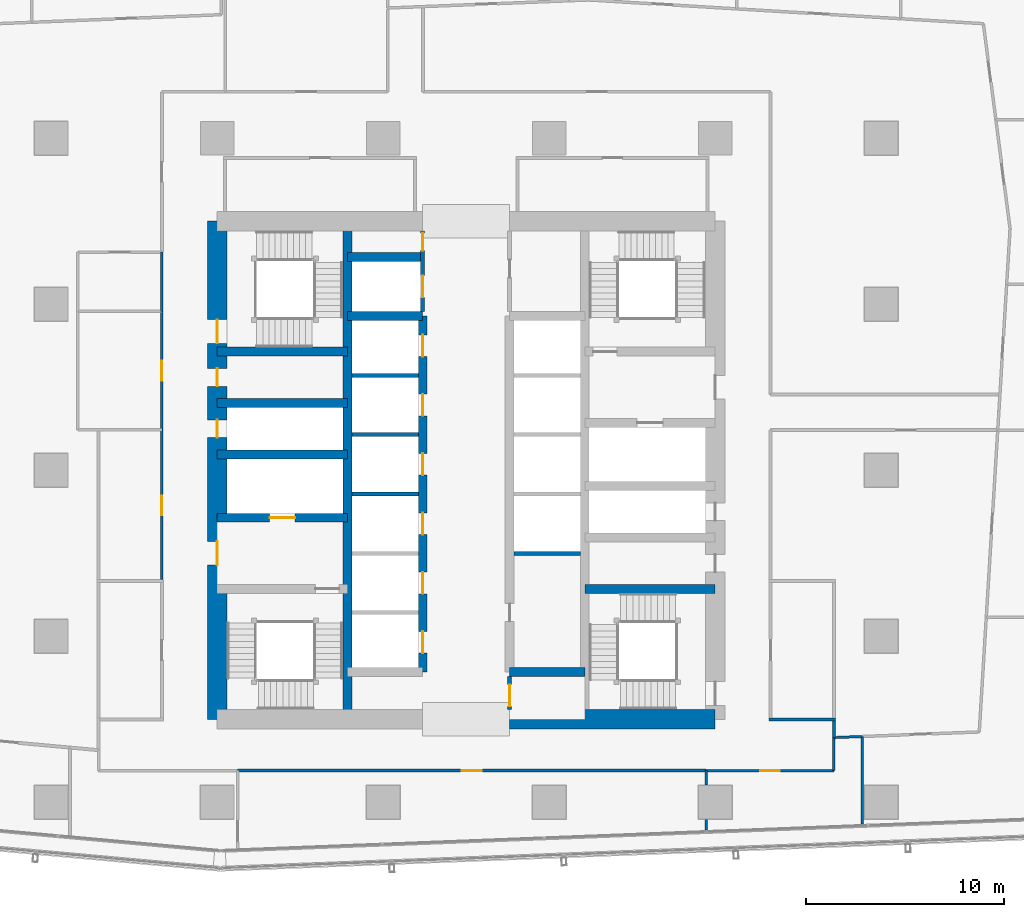
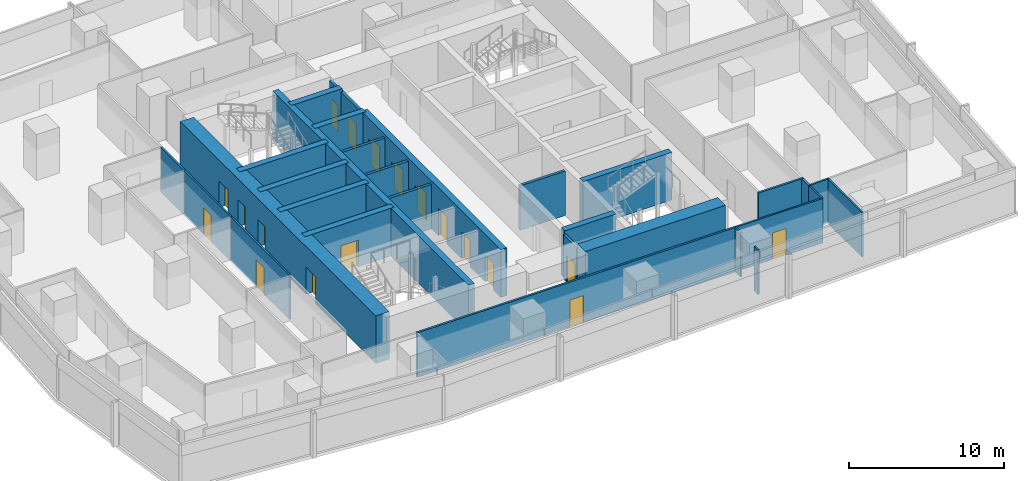
# One storey, part 29 of 40: 30 walls, 18 doors, 18 openings.
"""IFC4 building model written with IfcOpenShell, lengths in metres."""

from ifc_helpers import new_model, si_unit, direction, frame, frame_2d, origin, place, context, subcontext, project, spatial, rectangle, extrude, material, layer, layer_set, type_object, element, fill, save


model = new_model("IFC4")

# Units and contexts
model_context = context("Model", 3, precision=1e-05, world=origin(), true_north=direction((0.0, 1.0)))
body_context = subcontext(model_context, "Body", "Model", "MODEL_VIEW")
ifc_project = project(units=[si_unit("LENGTHUNIT", "METRE"), si_unit("AREAUNIT", "SQUARE_METRE"), si_unit("VOLUMEUNIT", "CUBIC_METRE"), si_unit("PLANEANGLEUNIT", "RADIAN"), si_unit("MASSUNIT", "GRAM", prefix="KILO")], contexts=[model_context])

# Site, building, storey
site_placement = place(None, origin())
site = spatial("IfcSite", under=ifc_project, at=site_placement, CompositionType="ELEMENT")
building_placement = place(site_placement, origin())
building = spatial("IfcBuilding", under=site, at=building_placement, Name="Rekha Terrace Tower", CompositionType="ELEMENT")
storey_placement = place(building_placement, frame((0.0, 0.0, 102.800048828125)))
storey = spatial("IfcBuildingStorey", under=building, at=storey_placement, Name="L25", CompositionType="ELEMENT", Elevation=102.800048828125)

# Wall
ifc_material_1 = material(Name="Concrete M70", Category="concrete")
ifc_layer_1 = layer(ifc_material_1, 0.449951171875)
ifc_layer_set_1 = layer_set([ifc_layer_1], Name="Concrete M70")
wall_type_1 = type_object("IfcWallType", Name="CI2 450 core internal shear wall", PredefinedType="SHEAR", material=ifc_layer_set_1)
wall_1_placement = place(storey_placement, frame((31.800048828125, 21.0, 0.0), z_axis=(0.0, 0.0, 1.0), x_axis=(0.0, 1.0, 0.0)))
element("IfcWall", 1, at=wall_1_placement, inside=storey, type_object=wall_type_1, Name="Core wall X318 L25", PredefinedType="SHEAR", context=body_context, shape_type="SweptSolid", body=[
    extrude(rectangle(XDim=25.199951171875, YDim=0.449951171875, at=frame_2d((12.60009765625, 0.0))), origin(), (0.0, 0.0, 1.0), 3.75),
])

# Wall, openings, doors
wall_2_placement = place(storey_placement, frame((35.60009765625, 23.39990234375, 0.0), z_axis=(0.0, 0.0, 1.0), x_axis=(0.0, 1.0, 0.0)))
wall_2 = element("IfcWall", 2, at=wall_2_placement, inside=storey, type_object=wall_type_1, Name="Core wall X356 L25", PredefinedType="SHEAR", context=body_context, shape_type="SweptSolid", body=[
    extrude(rectangle(XDim=18.0, YDim=0.449951171875, at=frame_2d((9.0, 0.0))), origin(), (0.0, 0.0, 1.0), 3.75),
])
opening_1_placement = place(wall_2_placement, frame((0.949951171875, 0.0, 0.0)))
opening_1 = element("IfcOpeningElement", 3, at=opening_1_placement, cuts=wall_2, Name="Opening LD1", PredefinedType="OPENING", context=body_context, shape_type="SweptSolid", body=[
    extrude(rectangle(XDim=1.10009765625, YDim=2.10009765625, at=frame_2d((0.550048828125, 1.050048828125))), frame((0.0, 0.23486328125, 0.0), z_axis=(0.0, -1.0, 0.0), x_axis=(1.0, 0.0, 0.0)), (0.0, 0.0, 1.0), 0.469970703125),
])
opening_2_placement = place(wall_2_placement, frame((3.949951171875, 0.0, 0.0)))
opening_2 = element("IfcOpeningElement", 4, at=opening_2_placement, cuts=wall_2, Name="Opening LD1", PredefinedType="OPENING", context=body_context, shape_type="SweptSolid", body=[
    extrude(rectangle(XDim=1.10009765625, YDim=2.10009765625, at=frame_2d((0.550048828125, 1.050048828125))), frame((0.0, 0.23486328125, 0.0), z_axis=(0.0, -1.0, 0.0), x_axis=(1.0, 0.0, 0.0)), (0.0, 0.0, 1.0), 0.469970703125),
])
opening_3_placement = place(wall_2_placement, frame((6.949951171875, 0.0, 0.0)))
opening_3 = element("IfcOpeningElement", 5, at=opening_3_placement, cuts=wall_2, Name="Opening LD1", PredefinedType="OPENING", context=body_context, shape_type="SweptSolid", body=[
    extrude(rectangle(XDim=1.10009765625, YDim=2.10009765625, at=frame_2d((0.550048828125, 1.050048828125))), frame((0.0, 0.23486328125, 0.0), z_axis=(0.0, -1.0, 0.0), x_axis=(1.0, 0.0, 0.0)), (0.0, 0.0, 1.0), 0.469970703125),
])
opening_4_placement = place(wall_2_placement, frame((9.949951171875, 0.0, 0.0)))
opening_4 = element("IfcOpeningElement", 6, at=opening_4_placement, cuts=wall_2, Name="Opening LD1", PredefinedType="OPENING", context=body_context, shape_type="SweptSolid", body=[
    extrude(rectangle(XDim=1.10009765625, YDim=2.10009765625, at=frame_2d((0.550048828125, 1.050048828125))), frame((0.0, 0.23486328125, 0.0), z_axis=(0.0, -1.0, 0.0), x_axis=(1.0, 0.0, 0.0)), (0.0, 0.0, 1.0), 0.469970703125),
])
opening_5_placement = place(wall_2_placement, frame((12.949951171875, 0.0, 0.0)))
opening_5 = element("IfcOpeningElement", 7, at=opening_5_placement, cuts=wall_2, Name="Opening LD1", PredefinedType="OPENING", context=body_context, shape_type="SweptSolid", body=[
    extrude(rectangle(XDim=1.10009765625, YDim=2.10009765625, at=frame_2d((0.550048828125, 1.050048828125))), frame((0.0, 0.23486328125, 0.0), z_axis=(0.0, -1.0, 0.0), x_axis=(1.0, 0.0, 0.0)), (0.0, 0.0, 1.0), 0.469970703125),
])
opening_6_placement = place(wall_2_placement, frame((15.949951171875, 0.0, 0.0)))
opening_6 = element("IfcOpeningElement", 8, at=opening_6_placement, cuts=wall_2, Name="Opening LD1", PredefinedType="OPENING", context=body_context, shape_type="SweptSolid", body=[
    extrude(rectangle(XDim=1.10009765625, YDim=2.10009765625, at=frame_2d((0.550048828125, 1.050048828125))), frame((0.0, 0.23486328125, 0.0), z_axis=(0.0, -1.0, 0.0), x_axis=(1.0, 0.0, 0.0)), (0.0, 0.0, 1.0), 0.469970703125),
])
ifc_material_2 = material(Name="Stainless steel sliding landing door", Category="steel")
door_type_1 = type_object("IfcDoorType", Name="LD1 1100x2100 lift landing door", OperationType="SLIDING_TO_LEFT", PredefinedType="USERDEFINED", material=ifc_material_2)
door_1_placement = place(opening_1_placement, origin())
door_1 = element("IfcDoor", 9, at=door_1_placement, inside=storey, type_object=door_type_1, Name="Lift B1 landing door L25", ObjectType="LIFT LANDING DOOR", OperationType="SLIDING_TO_LEFT", OverallHeight=2.10009765625, OverallWidth=1.10009765625, PredefinedType="USERDEFINED", context=body_context, shape_type="SweptSolid", body=[
    extrude(rectangle(XDim=1.10009765625, YDim=2.10009765625, at=frame_2d((0.550048828125, 1.050048828125))), frame((0.0, 0.02490234375, 0.0), z_axis=(0.0, -1.0, 0.0), x_axis=(1.0, 0.0, 0.0)), (0.0, 0.0, 1.0), 0.050048828125),
])
fill(opening_1, door_1)
door_2_placement = place(opening_2_placement, origin())
door_2 = element("IfcDoor", 10, at=door_2_placement, inside=storey, type_object=door_type_1, Name="Lift B2 landing door L25", ObjectType="LIFT LANDING DOOR", OperationType="SLIDING_TO_LEFT", OverallHeight=2.10009765625, OverallWidth=1.10009765625, PredefinedType="USERDEFINED", context=body_context, shape_type="SweptSolid", body=[
    extrude(rectangle(XDim=1.10009765625, YDim=2.10009765625, at=frame_2d((0.550048828125, 1.050048828125))), frame((0.0, 0.02490234375, 0.0), z_axis=(0.0, -1.0, 0.0), x_axis=(1.0, 0.0, 0.0)), (0.0, 0.0, 1.0), 0.050048828125),
])
fill(opening_2, door_2)
door_3_placement = place(opening_3_placement, origin())
door_3 = element("IfcDoor", 11, at=door_3_placement, inside=storey, type_object=door_type_1, Name="Lift B3 landing door L25", ObjectType="LIFT LANDING DOOR", OperationType="SLIDING_TO_LEFT", OverallHeight=2.10009765625, OverallWidth=1.10009765625, PredefinedType="USERDEFINED", context=body_context, shape_type="SweptSolid", body=[
    extrude(rectangle(XDim=1.10009765625, YDim=2.10009765625, at=frame_2d((0.550048828125, 1.050048828125))), frame((0.0, 0.02490234375, 0.0), z_axis=(0.0, -1.0, 0.0), x_axis=(1.0, 0.0, 0.0)), (0.0, 0.0, 1.0), 0.050048828125),
])
fill(opening_3, door_3)
door_4_placement = place(opening_4_placement, origin())
door_4 = element("IfcDoor", 12, at=door_4_placement, inside=storey, type_object=door_type_1, Name="Lift B4 landing door L25", ObjectType="LIFT LANDING DOOR", OperationType="SLIDING_TO_LEFT", OverallHeight=2.10009765625, OverallWidth=1.10009765625, PredefinedType="USERDEFINED", context=body_context, shape_type="SweptSolid", body=[
    extrude(rectangle(XDim=1.10009765625, YDim=2.10009765625, at=frame_2d((0.550048828125, 1.050048828125))), frame((0.0, 0.02490234375, 0.0), z_axis=(0.0, -1.0, 0.0), x_axis=(1.0, 0.0, 0.0)), (0.0, 0.0, 1.0), 0.050048828125),
])
fill(opening_4, door_4)
door_5_placement = place(opening_5_placement, origin())
door_5 = element("IfcDoor", 13, at=door_5_placement, inside=storey, type_object=door_type_1, Name="Lift B5 landing door L25", ObjectType="LIFT LANDING DOOR", OperationType="SLIDING_TO_LEFT", OverallHeight=2.10009765625, OverallWidth=1.10009765625, PredefinedType="USERDEFINED", context=body_context, shape_type="SweptSolid", body=[
    extrude(rectangle(XDim=1.10009765625, YDim=2.10009765625, at=frame_2d((0.550048828125, 1.050048828125))), frame((0.0, 0.02490234375, 0.0), z_axis=(0.0, -1.0, 0.0), x_axis=(1.0, 0.0, 0.0)), (0.0, 0.0, 1.0), 0.050048828125),
])
fill(opening_5, door_5)
door_6_placement = place(opening_6_placement, origin())
door_6 = element("IfcDoor", 14, at=door_6_placement, inside=storey, type_object=door_type_1, Name="Lift B6 landing door L25", ObjectType="LIFT LANDING DOOR", OperationType="SLIDING_TO_LEFT", OverallHeight=2.10009765625, OverallWidth=1.10009765625, PredefinedType="USERDEFINED", context=body_context, shape_type="SweptSolid", body=[
    extrude(rectangle(XDim=1.10009765625, YDim=2.10009765625, at=frame_2d((0.550048828125, 1.050048828125))), frame((0.0, 0.02490234375, 0.0), z_axis=(0.0, -1.0, 0.0), x_axis=(1.0, 0.0, 0.0)), (0.0, 0.0, 1.0), 0.050048828125),
])
fill(opening_6, door_6)

# Walls
for number, where, z_axis, x_axis, name in (
    (15, (31.800048828125, 41.39990234375, 0.0), (0.0, 0.0, 1.0), (1.0, 0.0, 0.0), "Core wall Y414W L25"),
    (16, (31.800048828125, 44.39990234375, 0.0), (0.0, 0.0, 1.0), (1.0, 0.0, 0.0), "Core wall Y444W L25"),
    (17, (40.0, 23.39990234375, 0.0), (0.0, 0.0, 1.0), (1.0, 0.0, 0.0), "Core wall Y234E L25"),
):
    element("IfcWall", number, at=place(storey_placement, frame(where, z_axis=z_axis, x_axis=x_axis)), inside=storey, type_object=wall_type_1, Name=name, PredefinedType="SHEAR", context=body_context, shape_type="SweptSolid", body=[
        extrude(rectangle(XDim=3.800048828125, YDim=0.449951171875, at=frame_2d((1.89990234375, 0.0))), origin(), (0.0, 0.0, 1.0), 3.75),
    ])

# Wall, opening, door
wall_3_placement = place(storey_placement, frame((25.199951171875, 31.199951171875, 0.0), z_axis=(0.0, 0.0, 1.0), x_axis=(1.0, 0.0, 0.0)))
wall_3 = element("IfcWall", 18, at=wall_3_placement, inside=storey, type_object=wall_type_1, Name="Core wall Y312W L25", PredefinedType="SHEAR", context=body_context, shape_type="SweptSolid", body=[
    extrude(rectangle(XDim=6.60009765625, YDim=0.449951171875, at=frame_2d((3.300048828125, 0.0))), origin(), (0.0, 0.0, 1.0), 3.75),
])
opening_7_placement = place(wall_3_placement, frame((2.64990234375, 0.0, 0.0)))
opening_7 = element("IfcOpeningElement", 19, at=opening_7_placement, cuts=wall_3, Name="Opening LD2", PredefinedType="OPENING", context=body_context, shape_type="SweptSolid", body=[
    extrude(rectangle(XDim=1.300048828125, YDim=2.10009765625, at=frame_2d((0.64990234375, 1.050048828125))), frame((0.0, 0.23486328125, 0.0), z_axis=(0.0, -1.0, 0.0), x_axis=(1.0, 0.0, 0.0)), (0.0, 0.0, 1.0), 0.469970703125),
])
door_type_2 = type_object("IfcDoorType", Name="LD2 1300x2100 fire lift landing door", OperationType="SLIDING_TO_LEFT", PredefinedType="USERDEFINED", material=ifc_material_2)
door_7_placement = place(opening_7_placement, origin())
door_7 = element("IfcDoor", 20, at=door_7_placement, inside=storey, type_object=door_type_2, Name="Lift FL1 landing door L25", ObjectType="LIFT LANDING DOOR", OperationType="SLIDING_TO_LEFT", OverallHeight=2.10009765625, OverallWidth=1.300048828125, PredefinedType="USERDEFINED", context=body_context, shape_type="SweptSolid", body=[
    extrude(rectangle(XDim=1.300048828125, YDim=2.10009765625, at=frame_2d((0.64990234375, 1.050048828125))), frame((0.0, 0.02490234375, 0.0), z_axis=(0.0, -1.0, 0.0), x_axis=(1.0, 0.0, 0.0)), (0.0, 0.0, 1.0), 0.050048828125),
])
fill(opening_7, door_7)

# Walls
for number, where, z_axis, x_axis, name in (
    (21, (25.199951171875, 34.39990234375, 0.0), (0.0, 0.0, 1.0), (1.0, 0.0, 0.0), "Core wall Y344W L25"),
    (22, (25.199951171875, 37.0, 0.0), (0.0, 0.0, 1.0), (1.0, 0.0, 0.0), "Core wall Y370W L25"),
    (23, (25.199951171875, 39.60009765625, 0.0), (0.0, 0.0, 1.0), (1.0, 0.0, 0.0), "Core wall Y396W L25"),
):
    element("IfcWall", number, at=place(storey_placement, frame(where, z_axis=z_axis, x_axis=x_axis)), inside=storey, type_object=wall_type_1, Name=name, PredefinedType="SHEAR", context=body_context, shape_type="SweptSolid", body=[
        extrude(rectangle(XDim=6.60009765625, YDim=0.449951171875, at=frame_2d((3.300048828125, 0.0))), origin(), (0.0, 0.0, 1.0), 3.75),
    ])
wall_4_placement = place(storey_placement, frame((43.800048828125, 27.60009765625, 0.0), z_axis=(0.0, 0.0, 1.0), x_axis=(1.0, 0.0, 0.0)))
element("IfcWall", 24, at=wall_4_placement, inside=storey, type_object=wall_type_1, Name="Core wall Y276E L25", PredefinedType="SHEAR", context=body_context, shape_type="SweptSolid", body=[
    extrude(rectangle(XDim=6.599853515625, YDim=0.449951171875, at=frame_2d((3.2998046875, 0.0))), origin(), (0.0, 0.0, 1.0), 3.75),
])
ifc_layer_2 = layer(ifc_material_1, 1.0)
ifc_layer_set_2 = layer_set([ifc_layer_2], Name="Concrete M70")
wall_type_2 = type_object("IfcWallType", Name="SW2 1000 core outer shear wall", PredefinedType="SHEAR", material=ifc_layer_set_2)
wall_5_placement = place(storey_placement, frame((40.0, 21.0, 0.0), z_axis=(0.0, 0.0, 1.0), x_axis=(1.0, 0.0, 0.0)))
element("IfcWall", 25, at=wall_5_placement, inside=storey, type_object=wall_type_2, Name="Core wall S2 L25", PredefinedType="SHEAR", context=body_context, shape_type="SweptSolid", body=[
    extrude(rectangle(XDim=10.39990234375, YDim=1.0, at=frame_2d((5.199951171875, 0.0))), origin(), (0.0, 0.0, 1.0), 3.75),
])

# Wall, openings, doors
wall_6_placement = place(storey_placement, frame((25.199951171875, 21.0, 0.0), z_axis=(0.0, 0.0, 1.0), x_axis=(0.0, 1.0, 0.0)))
wall_6 = element("IfcWall", 26, at=wall_6_placement, inside=storey, type_object=wall_type_2, Name="Core wall W L25", PredefinedType="SHEAR", context=body_context, shape_type="SweptSolid", body=[
    extrude(rectangle(XDim=25.199951171875, YDim=1.0, at=frame_2d((12.60009765625, 0.0))), origin(), (0.0, 0.0, 1.0), 3.75),
])
opening_8_placement = place(wall_6_placement, frame((7.800048828125, 0.0, 0.0)))
opening_8 = element("IfcOpeningElement", 27, at=opening_8_placement, cuts=wall_6, Name="Opening D2", PredefinedType="OPENING", context=body_context, shape_type="SweptSolid", body=[
    extrude(rectangle(XDim=1.199951171875, YDim=2.10009765625, at=frame_2d((0.60009765625, 1.050048828125))), frame((0.0, 0.510009765625, 0.0), z_axis=(0.0, -1.0, 0.0), x_axis=(1.0, 0.0, 0.0)), (0.0, 0.0, 1.0), 1.02001953125),
])
opening_9_placement = place(wall_6_placement, frame((14.25, 0.0, 0.0)))
opening_9 = element("IfcOpeningElement", 28, at=opening_9_placement, cuts=wall_6, Name="Opening D5", PredefinedType="OPENING", context=body_context, shape_type="SweptSolid", body=[
    extrude(rectangle(XDim=0.89990234375, YDim=2.10009765625, at=frame_2d((0.449951171875, 1.050048828125))), frame((0.0, 0.510009765625, 0.0), z_axis=(0.0, -1.0, 0.0), x_axis=(1.0, 0.0, 0.0)), (0.0, 0.0, 1.0), 1.02001953125),
])
opening_10_placement = place(wall_6_placement, frame((16.85009765625, 0.0, 0.0)))
opening_10 = element("IfcOpeningElement", 29, at=opening_10_placement, cuts=wall_6, Name="Opening D5", PredefinedType="OPENING", context=body_context, shape_type="SweptSolid", body=[
    extrude(rectangle(XDim=0.89990234375, YDim=2.10009765625, at=frame_2d((0.449951171875, 1.050048828125))), frame((0.0, 0.510009765625, 0.0), z_axis=(0.0, -1.0, 0.0), x_axis=(1.0, 0.0, 0.0)), (0.0, 0.0, 1.0), 1.02001953125),
])
opening_11_placement = place(wall_6_placement, frame((19.02490234375, 0.0, 0.0)))
opening_11 = element("IfcOpeningElement", 30, at=opening_11_placement, cuts=wall_6, Name="Opening D1", PredefinedType="OPENING", context=body_context, shape_type="SweptSolid", body=[
    extrude(rectangle(XDim=1.199951171875, YDim=2.10009765625, at=frame_2d((0.60009765625, 1.050048828125))), frame((0.0, 0.510009765625, 0.0), z_axis=(0.0, -1.0, 0.0), x_axis=(1.0, 0.0, 0.0)), (0.0, 0.0, 1.0), 1.02001953125),
])
ifc_material_3 = material(Name="Steel fire door", Category="steel")
door_type_3 = type_object("IfcDoorType", Name="D1 1200x2100 stair fire door", OperationType="SINGLE_SWING_RIGHT", PredefinedType="DOOR", material=ifc_material_3)
door_8_placement = place(opening_11_placement, origin())
door_8 = element("IfcDoor", 31, at=door_8_placement, inside=storey, type_object=door_type_3, Name="Stair ST4 door L25", OperationType="SINGLE_SWING_RIGHT", OverallHeight=2.10009765625, OverallWidth=1.199951171875, PredefinedType="DOOR", context=body_context, shape_type="SweptSolid", body=[
    extrude(rectangle(XDim=1.199951171875, YDim=2.10009765625, at=frame_2d((0.60009765625, 1.050048828125))), frame((0.0, 0.02490234375, 0.0), z_axis=(0.0, -1.0, 0.0), x_axis=(1.0, 0.0, 0.0)), (0.0, 0.0, 1.0), 0.050048828125),
])
fill(opening_11, door_8)
door_type_4 = type_object("IfcDoorType", Name="D2 1200x2100 firefighting lobby door", OperationType="SINGLE_SWING_LEFT", PredefinedType="DOOR", material=ifc_material_3)
door_9_placement = place(opening_8_placement, origin())
door_9 = element("IfcDoor", 32, at=door_9_placement, inside=storey, type_object=door_type_4, Name="Door flb1 L25", OperationType="SINGLE_SWING_LEFT", OverallHeight=2.10009765625, OverallWidth=1.199951171875, PredefinedType="DOOR", context=body_context, shape_type="SweptSolid", body=[
    extrude(rectangle(XDim=1.199951171875, YDim=2.10009765625, at=frame_2d((0.60009765625, 1.050048828125))), frame((0.0, 0.02490234375, 0.0), z_axis=(0.0, -1.0, 0.0), x_axis=(1.0, 0.0, 0.0)), (0.0, 0.0, 1.0), 0.050048828125),
])
fill(opening_8, door_9)
door_type_5 = type_object("IfcDoorType", Name="D5 900x2100 riser access door", OperationType="SINGLE_SWING_LEFT", PredefinedType="DOOR", material=ifc_material_3)
door_10_placement = place(opening_9_placement, origin())
door_10 = element("IfcDoor", 33, at=door_10_placement, inside=storey, type_object=door_type_5, Name="Door rs1 L25", OperationType="SINGLE_SWING_LEFT", OverallHeight=2.10009765625, OverallWidth=0.89990234375, PredefinedType="DOOR", context=body_context, shape_type="SweptSolid", body=[
    extrude(rectangle(XDim=0.89990234375, YDim=2.10009765625, at=frame_2d((0.449951171875, 1.050048828125))), frame((0.0, 0.02490234375, 0.0), z_axis=(0.0, -1.0, 0.0), x_axis=(1.0, 0.0, 0.0)), (0.0, 0.0, 1.0), 0.050048828125),
])
fill(opening_9, door_10)
door_11_placement = place(opening_10_placement, origin())
door_11 = element("IfcDoor", 34, at=door_11_placement, inside=storey, type_object=door_type_5, Name="Door elw L25", OperationType="SINGLE_SWING_LEFT", OverallHeight=2.10009765625, OverallWidth=0.89990234375, PredefinedType="DOOR", context=body_context, shape_type="SweptSolid", body=[
    extrude(rectangle(XDim=0.89990234375, YDim=2.10009765625, at=frame_2d((0.449951171875, 1.050048828125))), frame((0.0, 0.02490234375, 0.0), z_axis=(0.0, -1.0, 0.0), x_axis=(1.0, 0.0, 0.0)), (0.0, 0.0, 1.0), 0.050048828125),
])
fill(opening_10, door_11)

# Walls
ifc_material_4 = material(Name="Concrete block masonry, 1 hour", Category="masonry")
ifc_layer_3 = layer(ifc_material_4, 0.14990234375)
ifc_layer_set_3 = layer_set([ifc_layer_3], Name="Concrete block masonry, 1 hour")
wall_type_3 = type_object("IfcWallType", Name="WP2 150 tenancy partition", PredefinedType="PARTITIONING", material=ifc_layer_set_3)
wall_7_placement = place(storey_placement, frame((53.125, 21.0, 0.0), z_axis=(0.0, 0.0, 1.0), x_axis=(1.0, 0.0, 0.0)))
element("IfcWall", 35, at=wall_7_placement, inside=storey, type_object=wall_type_3, Name="Men's WC wall L25", PredefinedType="PARTITIONING", context=body_context, shape_type="SweptSolid", body=[
    extrude(rectangle(XDim=3.35009765625, YDim=0.14990234375, at=frame_2d((1.675048828125, 0.0))), origin(), (0.0, 0.0, 1.0), 3.5),
])
wall_8_placement = place(storey_placement, frame((56.39990234375, 20.073974609375, 0.0), z_axis=(0.0, 0.0, 1.0), x_axis=(0.0, 1.0, 0.0)))
element("IfcWall", 36, at=wall_8_placement, inside=storey, type_object=wall_type_3, Name="Partition L25-O1b", PredefinedType="PARTITIONING", context=body_context, shape_type="SweptSolid", body=[
    extrude(rectangle(XDim=0.85107421875, YDim=0.14990234375, at=frame_2d((0.425537109375, 0.0))), origin(), (0.0, 0.0, 1.0), 3.5),
])

# Wall, opening, door
wall_9_placement = place(storey_placement, frame((26.23388671875, 18.39990234375, 0.0), z_axis=(0.0, 0.0, 1.0), x_axis=(1.0, 0.0, 0.0)))
wall_9 = element("IfcWall", 37, at=wall_9_placement, inside=storey, type_object=wall_type_3, Name="Partition L25-O3", PredefinedType="PARTITIONING", context=body_context, shape_type="SweptSolid", body=[
    extrude(rectangle(XDim=23.7021484375, YDim=0.14990234375, at=frame_2d((11.85107421875, 0.0))), origin(), (0.0, 0.0, 1.0), 3.5),
])
opening_12_placement = place(wall_9_placement, frame((11.35107421875, 0.0, 0.0)))
opening_12 = element("IfcOpeningElement", 38, at=opening_12_placement, cuts=wall_9, Name="Opening D9", PredefinedType="OPENING", context=body_context, shape_type="SweptSolid", body=[
    extrude(rectangle(XDim=1.0, YDim=2.10009765625, at=frame_2d((0.5, 1.050048828125))), frame((0.0, 0.0849609375, 0.0), z_axis=(0.0, -1.0, 0.0), x_axis=(1.0, 0.0, 0.0)), (0.0, 0.0, 1.0), 0.169921875),
])
ifc_material_5 = material(Name="Timber fire door", Category="wood")
door_type_6 = type_object("IfcDoorType", Name="D9 1000x2100 office door", OperationType="SINGLE_SWING_LEFT", PredefinedType="DOOR", material=ifc_material_5)
door_12_placement = place(opening_12_placement, origin())
door_12 = element("IfcDoor", 39, at=door_12_placement, inside=storey, type_object=door_type_6, Name="Door open-plan office L25", OperationType="SINGLE_SWING_LEFT", OverallHeight=2.10009765625, OverallWidth=1.0, PredefinedType="DOOR", context=body_context, shape_type="SweptSolid", body=[
    extrude(rectangle(XDim=1.0, YDim=2.10009765625, at=frame_2d((0.5, 1.050048828125))), frame((0.0, 0.02490234375, 0.0), z_axis=(0.0, -1.0, 0.0), x_axis=(1.0, 0.0, 0.0)), (0.0, 0.0, 1.0), 0.050048828125),
])
fill(opening_12, door_12)

ifc_material_6 = material(Name="Two layers of fire-rated gypsum board each side on steel studs, acoustic quilt, 1 hour", Category="steel")
ifc_layer_4 = layer(ifc_material_6, 0.125)
ifc_layer_set_4 = layer_set([ifc_layer_4], Name="Two layers of fire-rated gypsum board each side on steel studs, acoustic quilt, 1 hour")
wall_type_4 = type_object("IfcWallType", Name="WP3 125 office partition", PredefinedType="PARTITIONING", material=ifc_layer_set_4)
wall_10_placement = place(storey_placement, frame((49.93701171875, 18.39990234375, 0.0), z_axis=(0.0, 0.0, 1.0), x_axis=(1.0, 0.0, 0.0)))
wall_10 = element("IfcWall", 40, at=wall_10_placement, inside=storey, type_object=wall_type_4, Name="Partition L25-02", PredefinedType="PARTITIONING", context=body_context, shape_type="SweptSolid", body=[
    extrude(rectangle(XDim=6.462890625, YDim=0.125, at=frame_2d((3.2314453125, 0.0))), origin(), (0.0, 0.0, 1.0), 3.5),
])
opening_13_placement = place(wall_10_placement, frame((2.73095703125, 0.0, 0.0)))
opening_13 = element("IfcOpeningElement", 41, at=opening_13_placement, cuts=wall_10, Name="Opening D9", PredefinedType="OPENING", context=body_context, shape_type="SweptSolid", body=[
    extrude(rectangle(XDim=1.0, YDim=2.10009765625, at=frame_2d((0.5, 1.050048828125))), frame((0.0, 0.072509765625, 0.0), z_axis=(0.0, -1.0, 0.0), x_axis=(1.0, 0.0, 0.0)), (0.0, 0.0, 1.0), 0.14501953125),
])
door_13_placement = place(opening_13_placement, origin())
door_13 = element("IfcDoor", 42, at=door_13_placement, inside=storey, type_object=door_type_6, Name="Door meeting room L25", OperationType="SINGLE_SWING_LEFT", OverallHeight=2.10009765625, OverallWidth=1.0, PredefinedType="DOOR", context=body_context, shape_type="SweptSolid", body=[
    extrude(rectangle(XDim=1.0, YDim=2.10009765625, at=frame_2d((0.5, 1.050048828125))), frame((0.0, 0.02490234375, 0.0), z_axis=(0.0, -1.0, 0.0), x_axis=(1.0, 0.0, 0.0)), (0.0, 0.0, 1.0), 0.050048828125),
])
fill(opening_13, door_13)

# Walls
wall_11_placement = place(storey_placement, frame((56.39990234375, 18.39990234375, 0.0), z_axis=(0.0, 0.0, 1.0), x_axis=(0.0, 1.0, 0.0)))
element("IfcWall", 43, at=wall_11_placement, inside=storey, type_object=wall_type_4, Name="Partition L25-02", PredefinedType="PARTITIONING", context=body_context, shape_type="SweptSolid", body=[
    extrude(rectangle(XDim=1.674072265625, YDim=0.125, at=frame_2d((0.8369140625, 0.0))), origin(), (0.0, 0.0, 1.0), 3.5),
])
wall_12_placement = place(storey_placement, frame((56.39990234375, 20.073974609375, 0.0), z_axis=(0.0, 0.0, 1.0), x_axis=(0.999242997058, 0.038902864047, 0.0)))
element("IfcWall", 44, at=wall_12_placement, inside=storey, type_object=wall_type_4, Name="Partition L25-02", PredefinedType="PARTITIONING", context=body_context, shape_type="SweptSolid", body=[
    extrude(rectangle(XDim=1.43701171875, YDim=0.125, at=frame_2d((0.718505859375, 0.0))), origin(), (0.0, 0.0, 1.0), 3.5),
])
wall_13_placement = place(storey_placement, frame((57.8359375, 20.1298828125, 0.0), z_axis=(0.0, 0.0, 1.0), x_axis=(0.0, -1.0, 0.0)))
element("IfcWall", 45, at=wall_13_placement, inside=storey, type_object=wall_type_4, Name="Partition L25-02", PredefinedType="PARTITIONING", context=body_context, shape_type="SweptSolid", body=[
    extrude(rectangle(XDim=4.423828125, YDim=0.125, at=frame_2d((2.2119140625, 0.0))), origin(), (0.0, 0.0, 1.0), 3.5),
])
wall_14_placement = place(storey_placement, frame((49.93701171875, 15.39892578125, 0.0), z_axis=(0.0, 0.0, 1.0), x_axis=(0.0, 1.0, 0.0)))
element("IfcWall", 46, at=wall_14_placement, inside=storey, type_object=wall_type_4, Name="Partition L25-02", PredefinedType="PARTITIONING", context=body_context, shape_type="SweptSolid", body=[
    extrude(rectangle(XDim=0.531005859375, YDim=0.125, at=frame_2d((0.265625, 0.0))), origin(), (0.0, 0.0, 1.0), 3.5),
])
wall_15_placement = place(storey_placement, frame((49.93701171875, 17.669921875, 0.0), z_axis=(0.0, 0.0, 1.0), x_axis=(0.0, 1.0, 0.0)))
element("IfcWall", 47, at=wall_15_placement, inside=storey, type_object=wall_type_4, Name="Partition L25-02", PredefinedType="PARTITIONING", context=body_context, shape_type="SweptSolid", body=[
    extrude(rectangle(XDim=0.72998046875, YDim=0.125, at=frame_2d((0.364990234375, 0.0))), origin(), (0.0, 0.0, 1.0), 3.5),
])

# Wall, opening, door
wall_16_placement = place(storey_placement, frame((22.39990234375, 41.636962890625, 0.0), z_axis=(0.0, 0.0, 1.0), x_axis=(0.0, -1.0, 0.0)))
wall_16 = element("IfcWall", 48, at=wall_16_placement, inside=storey, type_object=wall_type_4, Name="Partition L25-16", PredefinedType="PARTITIONING", context=body_context, shape_type="SweptSolid", body=[
    extrude(rectangle(XDim=5.9990234375, YDim=0.125, at=frame_2d((2.99951171875, 0.0))), origin(), (0.0, 0.0, 1.0), 3.5),
])
opening_14_placement = place(wall_16_placement, frame((2.4990234375, 0.0, 0.0)))
opening_14 = element("IfcOpeningElement", 49, at=opening_14_placement, cuts=wall_16, Name="Opening D9", PredefinedType="OPENING", context=body_context, shape_type="SweptSolid", body=[
    extrude(rectangle(XDim=1.0, YDim=2.10009765625, at=frame_2d((0.5, 1.050048828125))), frame((0.0, 0.072509765625, 0.0), z_axis=(0.0, -1.0, 0.0), x_axis=(1.0, 0.0, 0.0)), (0.0, 0.0, 1.0), 0.14501953125),
])
door_14_placement = place(opening_14_placement, origin())
door_14 = element("IfcDoor", 50, at=door_14_placement, inside=storey, type_object=door_type_6, Name="Door reception L25", OperationType="SINGLE_SWING_LEFT", OverallHeight=2.10009765625, OverallWidth=1.0, PredefinedType="DOOR", context=body_context, shape_type="SweptSolid", body=[
    extrude(rectangle(XDim=1.0, YDim=2.10009765625, at=frame_2d((0.5, 1.050048828125))), frame((0.0, 0.02490234375, 0.0), z_axis=(0.0, -1.0, 0.0), x_axis=(1.0, 0.0, 0.0)), (0.0, 0.0, 1.0), 0.050048828125),
])
fill(opening_14, door_14)

# Wall
wall_17_placement = place(storey_placement, frame((22.39990234375, 44.636962890625, 0.0), z_axis=(0.0, 0.0, 1.0), x_axis=(0.0, -1.0, 0.0)))
element("IfcWall", 51, at=wall_17_placement, inside=storey, type_object=wall_type_4, Name="Partition L25-17", PredefinedType="PARTITIONING", context=body_context, shape_type="SweptSolid", body=[
    extrude(rectangle(XDim=3.0, YDim=0.125, at=frame_2d((1.5, 0.0))), origin(), (0.0, 0.0, 1.0), 3.5),
])

# Wall, opening, door
wall_18_placement = place(storey_placement, frame((22.39990234375, 35.636962890625, 0.0), z_axis=(0.0, 0.0, 1.0), x_axis=(0.0, -1.0, 0.0)))
wall_18 = element("IfcWall", 52, at=wall_18_placement, inside=storey, type_object=wall_type_4, Name="Partition L25-21", PredefinedType="PARTITIONING", context=body_context, shape_type="SweptSolid", body=[
    extrude(rectangle(XDim=7.56201171875, YDim=0.125, at=frame_2d((3.781005859375, 0.0))), origin(), (0.0, 0.0, 1.0), 3.5),
])
opening_15_placement = place(wall_18_placement, frame((3.319091796875, 0.0, 0.0)))
opening_15 = element("IfcOpeningElement", 53, at=opening_15_placement, cuts=wall_18, Name="Opening D9", PredefinedType="OPENING", context=body_context, shape_type="SweptSolid", body=[
    extrude(rectangle(XDim=1.0, YDim=2.10009765625, at=frame_2d((0.5, 1.050048828125))), frame((0.0, 0.072509765625, 0.0), z_axis=(0.0, -1.0, 0.0), x_axis=(1.0, 0.0, 0.0)), (0.0, 0.0, 1.0), 0.14501953125),
])
door_15_placement = place(opening_15_placement, origin())
door_15 = element("IfcDoor", 54, at=door_15_placement, inside=storey, type_object=door_type_6, Name="Door reception L25", OperationType="SINGLE_SWING_LEFT", OverallHeight=2.10009765625, OverallWidth=1.0, PredefinedType="DOOR", context=body_context, shape_type="SweptSolid", body=[
    extrude(rectangle(XDim=1.0, YDim=2.10009765625, at=frame_2d((0.5, 1.050048828125))), frame((0.0, 0.02490234375, 0.0), z_axis=(0.0, -1.0, 0.0), x_axis=(1.0, 0.0, 0.0)), (0.0, 0.0, 1.0), 0.050048828125),
])
fill(opening_15, door_15)

# Walls
ifc_material_7 = material(Name="Solid concrete block masonry, 2 hour", Category="masonry")
ifc_layer_5 = layer(ifc_material_7, 0.199951171875)
ifc_layer_set_5 = layer_set([ifc_layer_5], Name="Solid concrete block masonry, 2 hour")
wall_type_5 = type_object("IfcWallType", Name="WS1 200 stair and shaft enclosure", PredefinedType="PARTITIONING", material=ifc_layer_set_5)
for number, where, z_axis, x_axis, name in (
    (55, (32.02490234375, 32.39990234375, 0.0), (0.0, 0.0, 1.0), (1.0, 0.0, 0.0), "Lift shaft divider L25"),
    (56, (32.02490234375, 35.39990234375, 0.0), (0.0, 0.0, 1.0), (1.0, 0.0, 0.0), "Lift shaft divider L25"),
    (57, (32.02490234375, 38.39990234375, 0.0), (0.0, 0.0, 1.0), (1.0, 0.0, 0.0), "Lift shaft divider L25"),
):
    element("IfcWall", number, at=place(storey_placement, frame(where, z_axis=z_axis, x_axis=x_axis)), inside=storey, type_object=wall_type_5, Name=name, PredefinedType="PARTITIONING", context=body_context, shape_type="SweptSolid", body=[
        extrude(rectangle(XDim=3.35009765625, YDim=0.199951171875, at=frame_2d((1.675048828125, 0.0))), origin(), (0.0, 0.0, 1.0), 3.5),
    ])
wall_19_placement = place(storey_placement, frame((40.22509765625, 29.39990234375, 0.0), z_axis=(0.0, 0.0, 1.0), x_axis=(1.0, 0.0, 0.0)))
element("IfcWall", 58, at=wall_19_placement, inside=storey, type_object=wall_type_5, Name="Lift shaft divider L25", PredefinedType="PARTITIONING", context=body_context, shape_type="SweptSolid", body=[
    extrude(rectangle(XDim=3.349853515625, YDim=0.199951171875, at=frame_2d((1.6748046875, 0.0))), origin(), (0.0, 0.0, 1.0), 3.5),
])

# Wall, opening, door
wall_20_placement = place(storey_placement, frame((40.0, 21.5, 0.0), z_axis=(0.0, 0.0, 1.0), x_axis=(0.0, 1.0, 0.0)))
wall_20 = element("IfcWall", 59, at=wall_20_placement, inside=storey, type_object=wall_type_5, Name="Core partition wca L25", PredefinedType="PARTITIONING", context=body_context, shape_type="SweptSolid", body=[
    extrude(rectangle(XDim=1.675048828125, YDim=0.199951171875, at=frame_2d((0.83740234375, 0.0))), origin(), (0.0, 0.0, 1.0), 3.5),
])
opening_16_placement = place(wall_20_placement, frame((0.14990234375, 0.0, 0.0)))
opening_16 = element("IfcOpeningElement", 60, at=opening_16_placement, cuts=wall_20, Name="Opening D4", PredefinedType="OPENING", context=body_context, shape_type="SweptSolid", body=[
    extrude(rectangle(XDim=1.10009765625, YDim=2.10009765625, at=frame_2d((0.550048828125, 1.050048828125))), frame((0.0, 0.10986328125, 0.0), z_axis=(0.0, -1.0, 0.0), x_axis=(1.0, 0.0, 0.0)), (0.0, 0.0, 1.0), 0.219970703125),
])
ifc_material_8 = material(Name="Laminated timber fire door", Category="wood")
door_type_7 = type_object("IfcDoorType", Name="D4 1100x2100 accessible WC door", OperationType="SLIDING_TO_LEFT", PredefinedType="DOOR", material=ifc_material_8)
door_16_placement = place(opening_16_placement, origin())
door_16 = element("IfcDoor", 61, at=door_16_placement, inside=storey, type_object=door_type_7, Name="Door wca L25", OperationType="SLIDING_TO_LEFT", OverallHeight=2.10009765625, OverallWidth=1.10009765625, PredefinedType="DOOR", context=body_context, shape_type="SweptSolid", body=[
    extrude(rectangle(XDim=1.10009765625, YDim=2.10009765625, at=frame_2d((0.550048828125, 1.050048828125))), frame((0.0, 0.02490234375, 0.0), z_axis=(0.0, -1.0, 0.0), x_axis=(1.0, 0.0, 0.0)), (0.0, 0.0, 1.0), 0.050048828125),
])
fill(opening_16, door_16)

# Wall, openings, doors
wall_21_placement = place(storey_placement, frame((35.60009765625, 41.625, 0.0), z_axis=(0.0, 0.0, 1.0), x_axis=(0.0, 1.0, 0.0)))
wall_21 = element("IfcWall", 62, at=wall_21_placement, inside=storey, type_object=wall_type_5, Name="Core partition jansv L25", PredefinedType="PARTITIONING", context=body_context, shape_type="SweptSolid", body=[
    extrude(rectangle(XDim=4.074951171875, YDim=0.199951171875, at=frame_2d((2.03759765625, 0.0))), origin(), (0.0, 0.0, 1.0), 3.5),
])
opening_17_placement = place(wall_21_placement, frame((3.087890625, 0.0, 0.0)))
opening_17 = element("IfcOpeningElement", 63, at=opening_17_placement, cuts=wall_21, Name="Opening D5", PredefinedType="OPENING", context=body_context, shape_type="SweptSolid", body=[
    extrude(rectangle(XDim=0.89990234375, YDim=2.10009765625, at=frame_2d((0.449951171875, 1.050048828125))), frame((0.0, 0.10986328125, 0.0), z_axis=(0.0, -1.0, 0.0), x_axis=(1.0, 0.0, 0.0)), (0.0, 0.0, 1.0), 0.219970703125),
])
opening_18_placement = place(wall_21_placement, frame((0.72509765625, 0.0, 0.0)))
opening_18 = element("IfcOpeningElement", 64, at=opening_18_placement, cuts=wall_21, Name="Opening LD1", PredefinedType="OPENING", context=body_context, shape_type="SweptSolid", body=[
    extrude(rectangle(XDim=1.10009765625, YDim=2.10009765625, at=frame_2d((0.550048828125, 1.050048828125))), frame((0.0, 0.10986328125, 0.0), z_axis=(0.0, -1.0, 0.0), x_axis=(1.0, 0.0, 0.0)), (0.0, 0.0, 1.0), 0.219970703125),
])
door_17_placement = place(opening_17_placement, origin())
door_17 = element("IfcDoor", 65, at=door_17_placement, inside=storey, type_object=door_type_5, Name="Door janitor room L25", OperationType="SINGLE_SWING_LEFT", OverallHeight=2.10009765625, OverallWidth=0.89990234375, PredefinedType="DOOR", context=body_context, shape_type="SweptSolid", body=[
    extrude(rectangle(XDim=0.89990234375, YDim=2.10009765625, at=frame_2d((0.449951171875, 1.050048828125))), frame((0.0, 0.02490234375, 0.0), z_axis=(0.0, -1.0, 0.0), x_axis=(1.0, 0.0, 0.0)), (0.0, 0.0, 1.0), 0.050048828125),
])
fill(opening_17, door_17)
door_18_placement = place(opening_18_placement, origin())
door_18 = element("IfcDoor", 66, at=door_18_placement, inside=storey, type_object=door_type_1, Name="Lift SV1 landing door L25", ObjectType="LIFT LANDING DOOR", OperationType="SLIDING_TO_LEFT", OverallHeight=2.10009765625, OverallWidth=1.10009765625, PredefinedType="USERDEFINED", context=body_context, shape_type="SweptSolid", body=[
    extrude(rectangle(XDim=1.10009765625, YDim=2.10009765625, at=frame_2d((0.550048828125, 1.050048828125))), frame((0.0, 0.02490234375, 0.0), z_axis=(0.0, -1.0, 0.0), x_axis=(1.0, 0.0, 0.0)), (0.0, 0.0, 1.0), 0.050048828125),
])
fill(opening_18, door_18)

save(model, "model.ifc")
